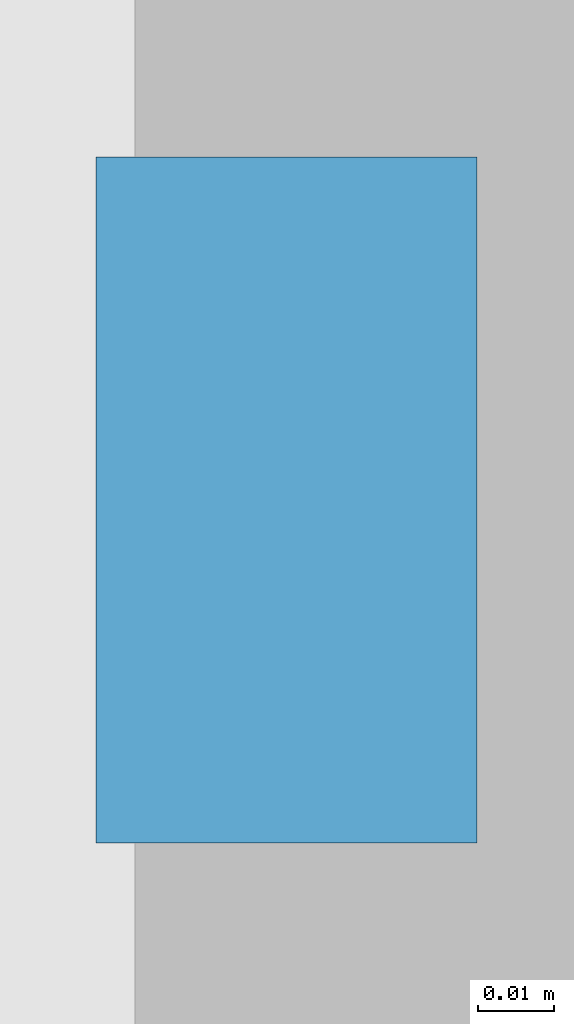
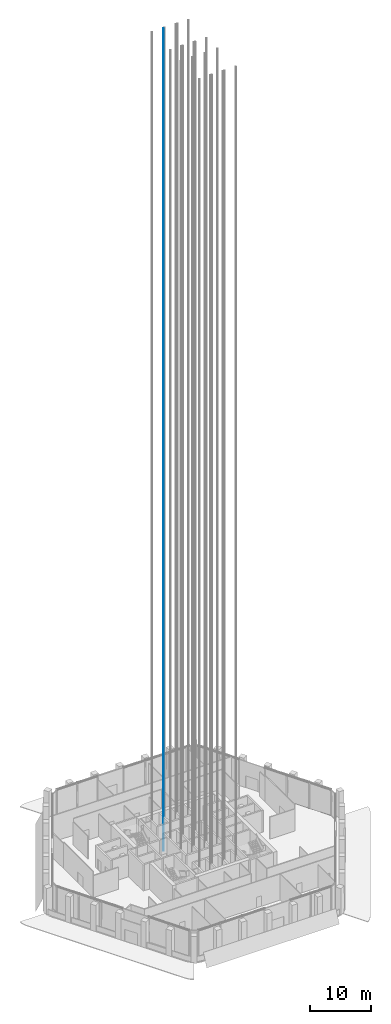
# One storey, part 35 of 42: 1 discrete accessory.
"""IFC4 building model written with IfcOpenShell, lengths in metres."""

from ifc_helpers import new_model, si_unit, direction, frame, origin, origin_2d, place, context, subcontext, project, spatial, rectangle, extrude, element, save


model = new_model("IFC4")

# Units and contexts
model_context = context("Model", 3, precision=1e-05, world=origin(), true_north=direction((0.0, 1.0)))
body_context = subcontext(model_context, "Body", "Model", "MODEL_VIEW")
ifc_project = project(units=[si_unit("LENGTHUNIT", "METRE"), si_unit("AREAUNIT", "SQUARE_METRE"), si_unit("VOLUMEUNIT", "CUBIC_METRE"), si_unit("PLANEANGLEUNIT", "RADIAN"), si_unit("MASSUNIT", "GRAM", prefix="KILO")], contexts=[model_context])

# Site, building, storey
site_placement = place(None, origin())
site = spatial("IfcSite", under=ifc_project, at=site_placement, CompositionType="ELEMENT")
building_placement = place(site_placement, origin())
building = spatial("IfcBuilding", under=site, at=building_placement, Name="Kolab Exchange Tower", CompositionType="ELEMENT")
storey_placement = place(building_placement, frame((0.0, 0.0, 133.39990234375)))
storey = spatial("IfcBuildingStorey", under=building, at=storey_placement, Name="L26", CompositionType="ELEMENT", Elevation=133.39990234375)

# Discrete accessory
discrete_accessory_placement = place(storey_placement, frame((-1.330078125, 7.800048828125, -1.599853515625), z_axis=(0.0, 0.0, 1.0), x_axis=(1.0, 0.0, 0.0)))
element("IfcDiscreteAccessory", 1, at=discrete_accessory_placement, inside=storey, Name="Guide rail HR1-2", ObjectType="GUIDE RAIL", PredefinedType="USERDEFINED", context=body_context, shape_type="SweptSolid", body=[
    extrude(rectangle(XDim=0.050048828125, YDim=0.090087890625, at=origin_2d()), origin(), (0.0, 0.0, 1.0), 165.60009765625),
])

save(model, "model.ifc")
